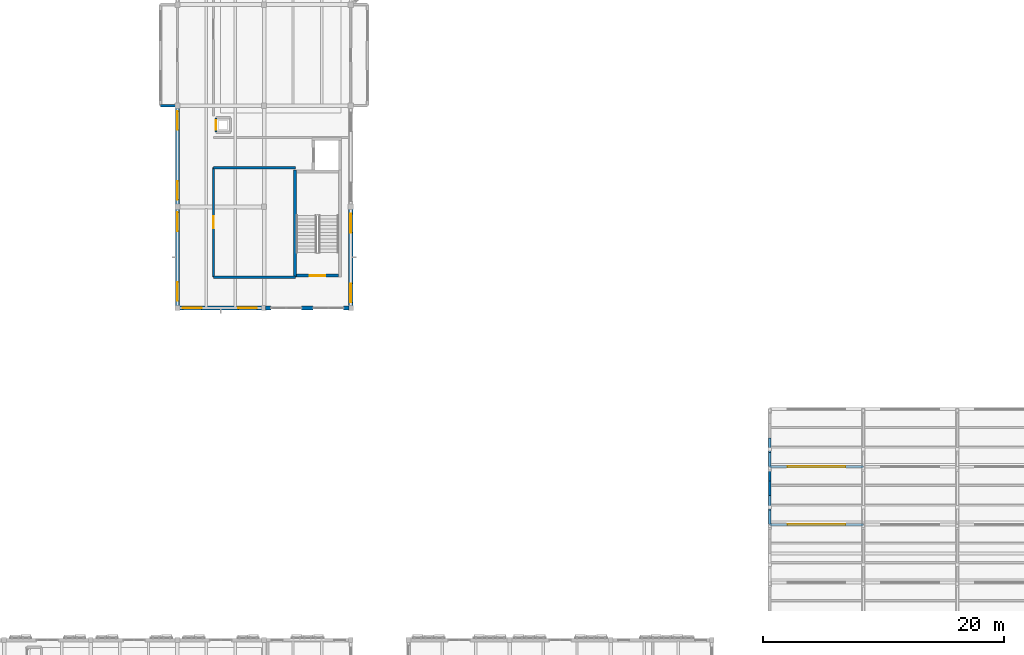
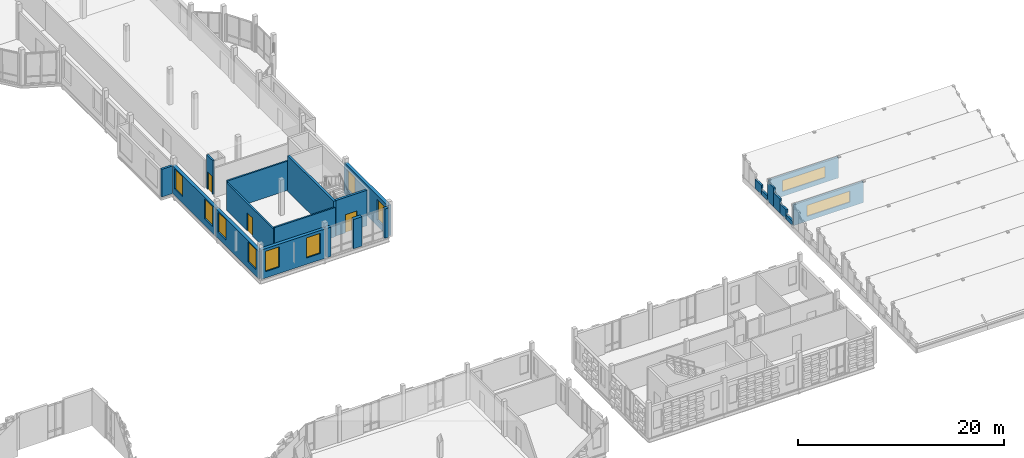
# One storey, part 57 of 81: 22 walls, 10 windows, 3 doors, 13 openings.
"""IFC4 building model written with IfcOpenShell, lengths in metres."""

from ifc_helpers import new_model, si_unit, direction, frame, frame_2d, origin, place, context, subcontext, project, spatial, rectangle, extrude, material, layer, layer_set, type_object, element, fill, save


model = new_model("IFC4")

# Units and contexts
model_context = context("Model", 3, precision=1e-05, world=origin(), true_north=direction((0.0, 1.0)))
body_context = subcontext(model_context, "Body", "Model", "MODEL_VIEW")
ifc_project = project(units=[si_unit("LENGTHUNIT", "METRE"), si_unit("AREAUNIT", "SQUARE_METRE"), si_unit("VOLUMEUNIT", "CUBIC_METRE"), si_unit("PLANEANGLEUNIT", "RADIAN"), si_unit("MASSUNIT", "GRAM", prefix="KILO")], contexts=[model_context])

# Site, building, storey
site_placement = place(None, origin())
site = spatial("IfcSite", under=ifc_project, at=site_placement, CompositionType="ELEMENT")
building_placement = place(site_placement, origin())
building = spatial("IfcBuilding", under=site, at=building_placement, Name="Kahlenmark Community Centre", CompositionType="ELEMENT")
storey_placement = place(building_placement, frame((0.0, 0.0, 9.60009765625)))
storey = spatial("IfcBuildingStorey", under=building, at=storey_placement, Name="L02", CompositionType="ELEMENT", Elevation=9.60009765625)

# Wall, opening, door
ifc_material_1 = material(Name="Concrete C35/45", Category="concrete")
ifc_layer_1 = layer(ifc_material_1, 0.25)
ifc_layer_set_1 = layer_set([ifc_layer_1], Name="Concrete C35/45")
wall_type_1 = type_object("IfcWallType", Name="WT-CORE-250", PredefinedType="SHEAR", material=ifc_layer_set_1)
wall_1_placement = place(storey_placement, frame((82.300048828125, 53.47509765625, 0.0), z_axis=(0.0, 0.0, 1.0), x_axis=(1.0, 0.0, 0.0)))
wall_1 = element("IfcWall", 1, at=wall_1_placement, inside=storey, type_object=wall_type_1, Name="Core K6 shear wall WL-CORE-K6-L02-0218", PredefinedType="SHEAR", context=body_context, shape_type="SweptSolid", body=[
    extrude(rectangle(XDim=3.5, YDim=0.25, at=frame_2d((1.75, 0.0))), origin(), (0.0, 0.0, 1.0), 4.199951171875),
])
opening_1_placement = place(wall_1_placement, frame((1.10009765625, 0.0, -0.010009765625)))
opening_1 = element("IfcOpeningElement", 2, at=opening_1_placement, cuts=wall_1, Name="Opening FD-K6-L02", PredefinedType="OPENING", context=body_context, shape_type="SweptSolid", body=[
    extrude(rectangle(XDim=1.300048828125, YDim=2.159912109375, at=frame_2d((0.64990234375, 1.080078125))), frame((0.0, 0.135009765625, 0.0), z_axis=(0.0, -1.0, 0.0), x_axis=(1.0, 0.0, 0.0)), (0.0, 0.0, 1.0), 0.27001953125),
])
ifc_material_2 = material(Name="Fire-rated steel-framed timber door FD60S", Category="steel")
door_type_1 = type_object("IfcDoorType", Name="DT-FD-K6-L02", OperationType="NOTDEFINED", PredefinedType="DOOR", material=ifc_material_2)
door_1_placement = place(opening_1_placement, frame((0.0, 0.0, 0.010009765625)))
door_1 = element("IfcDoor", 3, at=door_1_placement, inside=storey, type_object=door_type_1, Name="Core K6 stair fire door L02", OperationType="SINGLE_SWING_RIGHT", OverallHeight=2.14990234375, OverallWidth=1.300048828125, PredefinedType="DOOR", context=body_context, shape_type="SweptSolid", body=[
    extrude(rectangle(XDim=1.300048828125, YDim=2.14990234375, at=frame_2d((0.64990234375, 1.074951171875))), frame((0.0, 0.02490234375, 0.0), z_axis=(0.0, -1.0, 0.0), x_axis=(1.0, 0.0, 0.0)), (0.0, 0.0, 1.0), 0.050048828125),
])
fill(opening_1, door_1)

# Walls
wall_2_placement = place(storey_placement, frame((82.175048828125, 53.35009765625, 0.0), z_axis=(0.0, 0.0, 1.0), x_axis=(0.0, 1.0, 0.0)))
element("IfcWall", 4, at=wall_2_placement, inside=storey, type_object=wall_type_1, Name="Core K6 shear wall WL-CORE-K6-L02-0219", PredefinedType="SHEAR", context=body_context, shape_type="SweptSolid", body=[
    extrude(rectangle(XDim=8.89990234375, YDim=0.25, at=frame_2d((4.449951171875, 0.0))), origin(), (0.0, 0.0, 1.0), 4.199951171875),
])
ifc_material_3 = material(Name="Cross-laminated timber CLT C24", Category="wood")
ifc_layer_2 = layer(ifc_material_3, 0.239990234375)
ifc_layer_set_2 = layer_set([ifc_layer_2], Name="Cross-laminated timber CLT C24")
wall_type_2 = type_object("IfcWallType", Name="WT-EW-240", PredefinedType="SOLIDWALL", material=ifc_layer_set_2)
wall_3_placement = place(storey_placement, frame((72.25, 67.60009765625, 0.0), z_axis=(0.0, 0.0, 1.0), x_axis=(-1.0, 0.0, 0.0)))
element("IfcWall", 5, at=wall_3_placement, inside=storey, type_object=wall_type_2, Name="Bay oriel wall WL-ORI-L02-0847", PredefinedType="SOLIDWALL", context=body_context, shape_type="SweptSolid", body=[
    extrude(rectangle(XDim=1.25, YDim=0.239990234375, at=frame_2d((0.625, 0.0))), origin(), (0.0, 0.0, 1.0), 3.27001953125),
])

# Wall, openings, windows
ifc_material_4 = material(Name="Danube limestone masonry", Category="masonry")
ifc_layer_3 = layer(ifc_material_4, 0.360107421875)
ifc_layer_set_3 = layer_set([ifc_layer_3], Name="Danube limestone masonry")
wall_type_3 = type_object("IfcWallType", Name="WT-EW-360", PredefinedType="SOLIDWALL", material=ifc_layer_set_3)
wall_4_placement = place(storey_placement, frame((72.39990234375, 50.800048828125, 0.0), z_axis=(0.0, 0.0, 1.0), x_axis=(1.0, 0.0, 0.0)))
wall_4 = element("IfcWall", 6, at=wall_4_placement, inside=storey, type_object=wall_type_3, Name="Exterior wall WL-EXT-L02-0520", PredefinedType="SOLIDWALL", context=body_context, shape_type="SweptSolid", body=[
    extrude(rectangle(XDim=7.2001953125, YDim=0.360107421875, at=frame_2d((3.60009765625, 0.0))), origin(), (0.0, 0.0, 1.0), 3.469970703125),
])
opening_2_placement = place(wall_4_placement, frame((0.4599609375, 0.0, 0.75)))
opening_2 = element("IfcOpeningElement", 7, at=opening_2_placement, cuts=wall_4, Name="Opening W-155X240", PredefinedType="OPENING", context=body_context, shape_type="SweptSolid", body=[
    extrude(rectangle(XDim=1.550048828125, YDim=2.39990234375, at=frame_2d((0.77490234375, 1.199951171875))), frame((0.0, 0.18994140625, 0.0), z_axis=(0.0, -1.0, 0.0), x_axis=(1.0, 0.0, 0.0)), (0.0, 0.0, 1.0), 0.380126953125),
])
opening_3_placement = place(wall_4_placement, frame((5.06005859375, 0.0, 0.75)))
opening_3 = element("IfcOpeningElement", 8, at=opening_3_placement, cuts=wall_4, Name="Opening W-155X240", PredefinedType="OPENING", context=body_context, shape_type="SweptSolid", body=[
    extrude(rectangle(XDim=1.550048828125, YDim=2.39990234375, at=frame_2d((0.77490234375, 1.199951171875))), frame((0.0, 0.18994140625, 0.0), z_axis=(0.0, -1.0, 0.0), x_axis=(1.0, 0.0, 0.0)), (0.0, 0.0, 1.0), 0.380126953125),
])
ifc_material_5 = material(Name="Deep-reveal limestone punched triple glazing", Category="masonry")
window_type_1 = type_object("IfcWindowType", Name="WNT-155X240", PartitioningType="DOUBLE_PANEL_HORIZONTAL", PredefinedType="WINDOW", material=ifc_material_5)
window_1_placement = place(opening_2_placement, origin())
window_1 = element("IfcWindow", 9, at=window_1_placement, inside=storey, type_object=window_type_1, Name="Window W-155X240 #0313", OverallHeight=2.39990234375, OverallWidth=1.550048828125, PartitioningType="DOUBLE_PANEL_HORIZONTAL", PredefinedType="WINDOW", context=body_context, shape_type="SweptSolid", body=[
    extrude(rectangle(XDim=1.550048828125, YDim=2.39990234375, at=frame_2d((0.77490234375, 1.199951171875))), frame((0.0, 0.030029296875, 0.0), z_axis=(0.0, -1.0, 0.0), x_axis=(1.0, 0.0, 0.0)), (0.0, 0.0, 1.0), 0.06005859375),
])
fill(opening_2, window_1)
window_2_placement = place(opening_3_placement, origin())
window_2 = element("IfcWindow", 10, at=window_2_placement, inside=storey, type_object=window_type_1, Name="Window W-155X240 #0314", OverallHeight=2.39990234375, OverallWidth=1.550048828125, PartitioningType="DOUBLE_PANEL_HORIZONTAL", PredefinedType="WINDOW", context=body_context, shape_type="SweptSolid", body=[
    extrude(rectangle(XDim=1.550048828125, YDim=2.39990234375, at=frame_2d((0.77490234375, 1.199951171875))), frame((0.0, 0.030029296875, 0.0), z_axis=(0.0, -1.0, 0.0), x_axis=(1.0, 0.0, 0.0)), (0.0, 0.0, 1.0), 0.06005859375),
])
fill(opening_3, window_2)

# Walls
wall_5_placement = place(storey_placement, frame((82.719970703125, 50.800048828125, 0.0), z_axis=(0.0, 0.0, 1.0), x_axis=(1.0, 0.0, 0.0)))
element("IfcWall", 11, at=wall_5_placement, inside=storey, type_object=wall_type_3, Name="Postmodern limestone pier 0521", PredefinedType="SOLIDWALL", context=body_context, shape_type="SweptSolid", body=[
    extrude(rectangle(XDim=0.9599609375, YDim=0.360107421875, at=frame_2d((0.47998046875, 0.0))), origin(), (0.0, 0.0, 1.0), 3.469970703125),
])
for number, where, z_axis, x_axis, name in (
    (12, (79.72998046875, 50.800048828125, 0.0), (0.0, 0.0, 1.0), (1.0, 0.0, 0.0), "Column closure pier 0522"),
    (13, (86.219970703125, 50.800048828125, 0.0), (0.0, 0.0, 1.0), (1.0, 0.0, 0.0), "Column closure pier 0523"),
):
    element("IfcWall", number, at=place(storey_placement, frame(where, z_axis=z_axis, x_axis=x_axis)), inside=storey, type_object=wall_type_3, Name=name, PredefinedType="SOLIDWALL", context=body_context, shape_type="SweptSolid", body=[
        extrude(rectangle(XDim=0.449951171875, YDim=0.360107421875, at=frame_2d((0.22509765625, 0.0))), origin(), (0.0, 0.0, 1.0), 3.469970703125),
    ])

# Wall, openings, windows
wall_6_placement = place(storey_placement, frame((72.39990234375, 59.199951171875, 0.0), z_axis=(0.0, 0.0, 1.0), x_axis=(0.0, -1.0, 0.0)))
wall_6 = element("IfcWall", 14, at=wall_6_placement, inside=storey, type_object=wall_type_3, Name="Exterior wall WL-EXT-L02-0524", PredefinedType="SOLIDWALL", context=body_context, shape_type="SweptSolid", body=[
    extrude(rectangle(XDim=8.39990234375, YDim=0.360107421875, at=frame_2d((4.199951171875, 0.0))), origin(), (0.0, 0.0, 1.0), 3.27001953125),
])
opening_4_placement = place(wall_6_placement, frame((0.4599609375, 0.0, 0.75)))
opening_4 = element("IfcOpeningElement", 15, at=opening_4_placement, cuts=wall_6, Name="Opening W-155X238", PredefinedType="OPENING", context=body_context, shape_type="SweptSolid", body=[
    extrude(rectangle(XDim=1.550048828125, YDim=2.3798828125, at=frame_2d((0.77490234375, 1.18994140625))), frame((0.0, 0.18994140625, 0.0), z_axis=(0.0, -1.0, 0.0), x_axis=(1.0, 0.0, 0.0)), (0.0, 0.0, 1.0), 0.380126953125),
])
opening_5_placement = place(wall_6_placement, frame((6.260009765625, 0.0, 0.75)))
opening_5 = element("IfcOpeningElement", 16, at=opening_5_placement, cuts=wall_6, Name="Opening W-155X238", PredefinedType="OPENING", context=body_context, shape_type="SweptSolid", body=[
    extrude(rectangle(XDim=1.550048828125, YDim=2.3798828125, at=frame_2d((0.77490234375, 1.18994140625))), frame((0.0, 0.18994140625, 0.0), z_axis=(0.0, -1.0, 0.0), x_axis=(1.0, 0.0, 0.0)), (0.0, 0.0, 1.0), 0.380126953125),
])
window_type_2 = type_object("IfcWindowType", Name="WNT-155X238", PartitioningType="DOUBLE_PANEL_HORIZONTAL", PredefinedType="WINDOW", material=ifc_material_5)
window_3_placement = place(opening_4_placement, origin())
window_3 = element("IfcWindow", 17, at=window_3_placement, inside=storey, type_object=window_type_2, Name="Window W-155X238 #0315", OverallHeight=2.3798828125, OverallWidth=1.550048828125, PartitioningType="DOUBLE_PANEL_HORIZONTAL", PredefinedType="WINDOW", context=body_context, shape_type="SweptSolid", body=[
    extrude(rectangle(XDim=1.550048828125, YDim=2.3798828125, at=frame_2d((0.77490234375, 1.18994140625))), frame((0.0, 0.030029296875, 0.0), z_axis=(0.0, -1.0, 0.0), x_axis=(1.0, 0.0, 0.0)), (0.0, 0.0, 1.0), 0.06005859375),
])
fill(opening_4, window_3)
window_4_placement = place(opening_5_placement, origin())
window_4 = element("IfcWindow", 18, at=window_4_placement, inside=storey, type_object=window_type_2, Name="Window W-155X238 #0316", OverallHeight=2.3798828125, OverallWidth=1.550048828125, PartitioningType="DOUBLE_PANEL_HORIZONTAL", PredefinedType="WINDOW", context=body_context, shape_type="SweptSolid", body=[
    extrude(rectangle(XDim=1.550048828125, YDim=2.3798828125, at=frame_2d((0.77490234375, 1.18994140625))), frame((0.0, 0.030029296875, 0.0), z_axis=(0.0, -1.0, 0.0), x_axis=(1.0, 0.0, 0.0)), (0.0, 0.0, 1.0), 0.06005859375),
])
fill(opening_5, window_4)

wall_7_placement = place(storey_placement, frame((72.39990234375, 67.60009765625, 0.0), z_axis=(0.0, 0.0, 1.0), x_axis=(0.0, -1.0, 0.0)))
wall_7 = element("IfcWall", 19, at=wall_7_placement, inside=storey, type_object=wall_type_3, Name="Exterior wall WL-EXT-L02-0525", PredefinedType="SOLIDWALL", context=body_context, shape_type="SweptSolid", body=[
    extrude(rectangle(XDim=8.400146484375, YDim=0.360107421875, at=frame_2d((4.2001953125, 0.0))), origin(), (0.0, 0.0, 1.0), 3.27001953125),
])
opening_6_placement = place(wall_7_placement, frame((0.4599609375, 0.0, 0.75)))
opening_6 = element("IfcOpeningElement", 20, at=opening_6_placement, cuts=wall_7, Name="Opening W-155X238", PredefinedType="OPENING", context=body_context, shape_type="SweptSolid", body=[
    extrude(rectangle(XDim=1.550048828125, YDim=2.3798828125, at=frame_2d((0.77490234375, 1.18994140625))), frame((0.0, 0.18994140625, 0.0), z_axis=(0.0, -1.0, 0.0), x_axis=(1.0, 0.0, 0.0)), (0.0, 0.0, 1.0), 0.380126953125),
])
opening_7_placement = place(wall_7_placement, frame((6.260009765625, 0.0, 0.75)))
opening_7 = element("IfcOpeningElement", 21, at=opening_7_placement, cuts=wall_7, Name="Opening W-155X238", PredefinedType="OPENING", context=body_context, shape_type="SweptSolid", body=[
    extrude(rectangle(XDim=1.550048828125, YDim=2.3798828125, at=frame_2d((0.77490234375, 1.18994140625))), frame((0.0, 0.18994140625, 0.0), z_axis=(0.0, -1.0, 0.0), x_axis=(1.0, 0.0, 0.0)), (0.0, 0.0, 1.0), 0.380126953125),
])
window_5_placement = place(opening_6_placement, origin())
window_5 = element("IfcWindow", 22, at=window_5_placement, inside=storey, type_object=window_type_2, Name="Window W-155X238 #0317", OverallHeight=2.3798828125, OverallWidth=1.550048828125, PartitioningType="DOUBLE_PANEL_HORIZONTAL", PredefinedType="WINDOW", context=body_context, shape_type="SweptSolid", body=[
    extrude(rectangle(XDim=1.550048828125, YDim=2.3798828125, at=frame_2d((0.77490234375, 1.18994140625))), frame((0.0, 0.030029296875, 0.0), z_axis=(0.0, -1.0, 0.0), x_axis=(1.0, 0.0, 0.0)), (0.0, 0.0, 1.0), 0.06005859375),
])
fill(opening_6, window_5)
window_6_placement = place(opening_7_placement, origin())
window_6 = element("IfcWindow", 23, at=window_6_placement, inside=storey, type_object=window_type_2, Name="Window W-155X238 #0318", OverallHeight=2.3798828125, OverallWidth=1.550048828125, PartitioningType="DOUBLE_PANEL_HORIZONTAL", PredefinedType="WINDOW", context=body_context, shape_type="SweptSolid", body=[
    extrude(rectangle(XDim=1.550048828125, YDim=2.3798828125, at=frame_2d((0.77490234375, 1.18994140625))), frame((0.0, 0.030029296875, 0.0), z_axis=(0.0, -1.0, 0.0), x_axis=(1.0, 0.0, 0.0)), (0.0, 0.0, 1.0), 0.06005859375),
])
fill(opening_7, window_6)

wall_8_placement = place(storey_placement, frame((86.800048828125, 50.800048828125, 0.0), z_axis=(0.0, 0.0, 1.0), x_axis=(0.0, 1.0, 0.0)))
wall_8 = element("IfcWall", 24, at=wall_8_placement, inside=storey, type_object=wall_type_3, Name="Exterior wall WL-EXT-L02-0528", PredefinedType="SOLIDWALL", context=body_context, shape_type="SweptSolid", body=[
    extrude(rectangle(XDim=8.39990234375, YDim=0.360107421875, at=frame_2d((4.199951171875, 0.0))), origin(), (0.0, 0.0, 1.0), 3.6298828125),
])
opening_8_placement = place(wall_8_placement, frame((0.4599609375, 0.0, 0.75)))
opening_8 = element("IfcOpeningElement", 25, at=opening_8_placement, cuts=wall_8, Name="Opening W-155X240", PredefinedType="OPENING", context=body_context, shape_type="SweptSolid", body=[
    extrude(rectangle(XDim=1.550048828125, YDim=2.39990234375, at=frame_2d((0.77490234375, 1.199951171875))), frame((0.0, 0.18994140625, 0.0), z_axis=(0.0, -1.0, 0.0), x_axis=(1.0, 0.0, 0.0)), (0.0, 0.0, 1.0), 0.380126953125),
])
opening_9_placement = place(wall_8_placement, frame((6.260009765625, 0.0, 0.75)))
opening_9 = element("IfcOpeningElement", 26, at=opening_9_placement, cuts=wall_8, Name="Opening W-155X240", PredefinedType="OPENING", context=body_context, shape_type="SweptSolid", body=[
    extrude(rectangle(XDim=1.550048828125, YDim=2.39990234375, at=frame_2d((0.77490234375, 1.199951171875))), frame((0.0, 0.18994140625, 0.0), z_axis=(0.0, -1.0, 0.0), x_axis=(1.0, 0.0, 0.0)), (0.0, 0.0, 1.0), 0.380126953125),
])
window_7_placement = place(opening_8_placement, origin())
window_7 = element("IfcWindow", 27, at=window_7_placement, inside=storey, type_object=window_type_1, Name="Window W-155X240 #0323", OverallHeight=2.39990234375, OverallWidth=1.550048828125, PartitioningType="DOUBLE_PANEL_HORIZONTAL", PredefinedType="WINDOW", context=body_context, shape_type="SweptSolid", body=[
    extrude(rectangle(XDim=1.550048828125, YDim=2.39990234375, at=frame_2d((0.77490234375, 1.199951171875))), frame((0.0, 0.030029296875, 0.0), z_axis=(0.0, -1.0, 0.0), x_axis=(1.0, 0.0, 0.0)), (0.0, 0.0, 1.0), 0.06005859375),
])
fill(opening_8, window_7)
window_8_placement = place(opening_9_placement, origin())
window_8 = element("IfcWindow", 28, at=window_8_placement, inside=storey, type_object=window_type_1, Name="Window W-155X240 #0324", OverallHeight=2.39990234375, OverallWidth=1.550048828125, PartitioningType="DOUBLE_PANEL_HORIZONTAL", PredefinedType="WINDOW", context=body_context, shape_type="SweptSolid", body=[
    extrude(rectangle(XDim=1.550048828125, YDim=2.39990234375, at=frame_2d((0.77490234375, 1.199951171875))), frame((0.0, 0.030029296875, 0.0), z_axis=(0.0, -1.0, 0.0), x_axis=(1.0, 0.0, 0.0)), (0.0, 0.0, 1.0), 0.06005859375),
])
fill(opening_9, window_8)

# Wall, opening, window
ifc_layer_4 = layer(ifc_material_3, 0.199951171875)
ifc_layer_set_4 = layer_set([ifc_layer_4], Name="Cross-laminated timber CLT C24")
wall_type_4 = type_object("IfcWallType", Name="WT-EW-SAW200", PredefinedType="SOLIDWALL", material=ifc_layer_set_4)
wall_9_placement = place(storey_placement, frame((121.60009765625, 32.800048828125, 0.0), z_axis=(0.0, 0.0, 1.0), x_axis=(1.0, 0.0, 0.0)))
wall_9 = element("IfcWall", 29, at=wall_9_placement, inside=storey, type_object=wall_type_4, Name="Sawtooth north-light wall bay 5", PredefinedType="SOLIDWALL", context=body_context, shape_type="SweptSolid", body=[
    extrude(rectangle(XDim=7.7998046875, YDim=0.199951171875, at=frame_2d((3.89990234375, 0.0))), origin(), (0.0, 0.0, 1.0), 2.4599609375),
])
opening_10_placement = place(wall_9_placement, frame((1.5, 0.0, 0.580078125)))
opening_10 = element("IfcOpeningElement", 30, at=opening_10_placement, cuts=wall_9, Name="Opening SK-SAW1", PredefinedType="OPENING", context=body_context, shape_type="SweptSolid", body=[
    extrude(rectangle(XDim=4.800048828125, YDim=1.300048828125, at=frame_2d((2.39990234375, 0.64990234375))), frame((0.0, 0.10986328125, 0.0), z_axis=(0.0, -1.0, 0.0), x_axis=(1.0, 0.0, 0.0)), (0.0, 0.0, 1.0), 0.219970703125),
])
ifc_material_6 = material(Name="North-light solar control triple glazing", Category="glass")
window_type_3 = type_object("IfcWindowType", Name="WNT-SK-SAW", PartitioningType="TRIPLE_PANEL_VERTICAL", PredefinedType="SKYLIGHT", material=ifc_material_6)
window_9_placement = place(opening_10_placement, origin())
window_9 = element("IfcWindow", 31, at=window_9_placement, inside=storey, type_object=window_type_3, Name="Sawtooth north-light skylight 0572", OverallHeight=1.300048828125, OverallWidth=4.800048828125, PartitioningType="TRIPLE_PANEL_VERTICAL", PredefinedType="SKYLIGHT", context=body_context, shape_type="SweptSolid", body=[
    extrude(rectangle(XDim=4.800048828125, YDim=1.300048828125, at=frame_2d((2.39990234375, 0.64990234375))), frame((0.0, 0.030029296875, 0.0), z_axis=(0.0, -1.0, 0.0), x_axis=(1.0, 0.0, 0.0)), (0.0, 0.0, 1.0), 0.06005859375),
])
fill(opening_10, window_9)

wall_10_placement = place(storey_placement, frame((121.60009765625, 37.60009765625, 0.0), z_axis=(0.0, 0.0, 1.0), x_axis=(1.0, 0.0, 0.0)))
wall_10 = element("IfcWall", 32, at=wall_10_placement, inside=storey, type_object=wall_type_4, Name="Sawtooth north-light wall bay 6", PredefinedType="SOLIDWALL", context=body_context, shape_type="SweptSolid", body=[
    extrude(rectangle(XDim=7.7998046875, YDim=0.199951171875, at=frame_2d((3.89990234375, 0.0))), origin(), (0.0, 0.0, 1.0), 2.4599609375),
])
opening_11_placement = place(wall_10_placement, frame((1.5, 0.0, 0.580078125)))
opening_11 = element("IfcOpeningElement", 33, at=opening_11_placement, cuts=wall_10, Name="Opening SK-SAW1", PredefinedType="OPENING", context=body_context, shape_type="SweptSolid", body=[
    extrude(rectangle(XDim=4.800048828125, YDim=1.300048828125, at=frame_2d((2.39990234375, 0.64990234375))), frame((0.0, 0.10986328125, 0.0), z_axis=(0.0, -1.0, 0.0), x_axis=(1.0, 0.0, 0.0)), (0.0, 0.0, 1.0), 0.219970703125),
])
window_10_placement = place(opening_11_placement, origin())
window_10 = element("IfcWindow", 34, at=window_10_placement, inside=storey, type_object=window_type_3, Name="Sawtooth north-light skylight 0575", OverallHeight=1.300048828125, OverallWidth=4.800048828125, PartitioningType="TRIPLE_PANEL_VERTICAL", PredefinedType="SKYLIGHT", context=body_context, shape_type="SweptSolid", body=[
    extrude(rectangle(XDim=4.800048828125, YDim=1.300048828125, at=frame_2d((2.39990234375, 0.64990234375))), frame((0.0, 0.030029296875, 0.0), z_axis=(0.0, -1.0, 0.0), x_axis=(1.0, 0.0, 0.0)), (0.0, 0.0, 1.0), 0.06005859375),
])
fill(opening_11, window_10)

# Walls
wall_11_placement = place(storey_placement, frame((121.60009765625, 32.800048828125, 0.0), z_axis=(0.0, 0.0, 1.0), x_axis=(0.0, 1.0, 0.0)))
element("IfcWall", 35, at=wall_11_placement, inside=storey, type_object=wall_type_4, Name="Sawtooth stepped cheek gable 0995", PredefinedType="SOLIDWALL", context=body_context, shape_type="SweptSolid", body=[
    extrude(rectangle(XDim=1.199951171875, YDim=0.199951171875, at=frame_2d((0.60009765625, 0.0))), origin(), (0.0, 0.0, 1.0), 0.5439453125),
])
wall_12_placement = place(storey_placement, frame((121.60009765625, 34.0, 0.0), z_axis=(0.0, 0.0, 1.0), x_axis=(0.0, 1.0, 0.0)))
element("IfcWall", 36, at=wall_12_placement, inside=storey, type_object=wall_type_4, Name="Sawtooth stepped cheek gable 0996", PredefinedType="SOLIDWALL", context=body_context, shape_type="SweptSolid", body=[
    extrude(rectangle(XDim=1.199951171875, YDim=0.199951171875, at=frame_2d((0.60009765625, 0.0))), origin(), (0.0, 0.0, 1.0), 1.10400390625),
])
wall_13_placement = place(storey_placement, frame((121.60009765625, 35.199951171875, 0.0), z_axis=(0.0, 0.0, 1.0), x_axis=(0.0, 1.0, 0.0)))
element("IfcWall", 37, at=wall_13_placement, inside=storey, type_object=wall_type_4, Name="Sawtooth stepped cheek gable 0997", PredefinedType="SOLIDWALL", context=body_context, shape_type="SweptSolid", body=[
    extrude(rectangle(XDim=1.199951171875, YDim=0.199951171875, at=frame_2d((0.60009765625, 0.0))), origin(), (0.0, 0.0, 1.0), 1.663818359375),
])
wall_14_placement = place(storey_placement, frame((121.60009765625, 36.39990234375, 0.0), z_axis=(0.0, 0.0, 1.0), x_axis=(0.0, 1.0, 0.0)))
element("IfcWall", 38, at=wall_14_placement, inside=storey, type_object=wall_type_4, Name="Sawtooth stepped cheek gable 0998", PredefinedType="SOLIDWALL", context=body_context, shape_type="SweptSolid", body=[
    extrude(rectangle(XDim=1.2001953125, YDim=0.199951171875, at=frame_2d((0.60009765625, 0.0))), origin(), (0.0, 0.0, 1.0), 2.223876953125),
])
wall_15_placement = place(storey_placement, frame((121.60009765625, 37.60009765625, 0.0), z_axis=(0.0, 0.0, 1.0), x_axis=(0.0, 1.0, 0.0)))
element("IfcWall", 39, at=wall_15_placement, inside=storey, type_object=wall_type_4, Name="Sawtooth stepped cheek gable 1006", PredefinedType="SOLIDWALL", context=body_context, shape_type="SweptSolid", body=[
    extrude(rectangle(XDim=1.199951171875, YDim=0.199951171875, at=frame_2d((0.60009765625, 0.0))), origin(), (0.0, 0.0, 1.0), 0.5439453125),
])
wall_16_placement = place(storey_placement, frame((121.60009765625, 38.800048828125, 0.0), z_axis=(0.0, 0.0, 1.0), x_axis=(0.0, 1.0, 0.0)))
element("IfcWall", 40, at=wall_16_placement, inside=storey, type_object=wall_type_4, Name="Sawtooth stepped cheek gable 1007", PredefinedType="SOLIDWALL", context=body_context, shape_type="SweptSolid", body=[
    extrude(rectangle(XDim=1.199951171875, YDim=0.199951171875, at=frame_2d((0.60009765625, 0.0))), origin(), (0.0, 0.0, 1.0), 1.10400390625),
])
ifc_material_7 = material(Name="Gypsum plasterboard partition", Category="gypsum")
ifc_layer_5 = layer(ifc_material_7, 0.179931640625)
ifc_layer_set_5 = layer_set([ifc_layer_5], Name="Gypsum plasterboard partition")
wall_type_5 = type_object("IfcWallType", Name="WT-PW-180", PredefinedType="PARTITIONING", material=ifc_layer_set_5)
wall_17_placement = place(storey_placement, frame((75.39990234375, 53.35009765625, 0.0), z_axis=(0.0, 0.0, 1.0), x_axis=(1.0, 0.0, 0.0)))
element("IfcWall", 41, at=wall_17_placement, inside=storey, type_object=wall_type_5, Name="Interior partition WL-INT-L02-0203", PredefinedType="PARTITIONING", context=body_context, shape_type="SweptSolid", body=[
    extrude(rectangle(XDim=6.800048828125, YDim=0.179931640625, at=frame_2d((3.39990234375, 0.0))), origin(), (0.0, 0.0, 1.0), 3.469970703125),
])

# Wall, opening, door
wall_18_placement = place(storey_placement, frame((75.39990234375, 53.35009765625, 0.0), z_axis=(0.0, 0.0, 1.0), x_axis=(0.0, 1.0, 0.0)))
wall_18 = element("IfcWall", 42, at=wall_18_placement, inside=storey, type_object=wall_type_5, Name="Interior partition WL-INT-L02-0204", PredefinedType="PARTITIONING", context=body_context, shape_type="SweptSolid", body=[
    extrude(rectangle(XDim=9.099853515625, YDim=0.179931640625, at=frame_2d((4.5498046875, 0.0))), origin(), (0.0, 0.0, 1.0), 3.27001953125),
])
opening_12_placement = place(wall_18_placement, frame((4.050048828125, 0.0, -0.010009765625)))
opening_12 = element("IfcOpeningElement", 43, at=opening_12_placement, cuts=wall_18, Name="Opening D-L02-118", PredefinedType="OPENING", context=body_context, shape_type="SweptSolid", body=[
    extrude(rectangle(XDim=1.0, YDim=2.159912109375, at=frame_2d((0.5, 1.080078125))), frame((0.0, 0.099853515625, 0.0), z_axis=(0.0, -1.0, 0.0), x_axis=(1.0, 0.0, 0.0)), (0.0, 0.0, 1.0), 0.199951171875),
])
ifc_material_8 = material(Name="Oak timber veneer door leaf", Category="wood")
door_type_2 = type_object("IfcDoorType", Name="DT-INT-100X215", OperationType="NOTDEFINED", PredefinedType="DOOR", material=ifc_material_8)
door_2_placement = place(opening_12_placement, frame((0.0, 0.0, 0.010009765625)))
door_2 = element("IfcDoor", 44, at=door_2_placement, inside=storey, type_object=door_type_2, Name="Interior door D-L02-118", OperationType="SINGLE_SWING_LEFT", OverallHeight=2.14990234375, OverallWidth=1.0, PredefinedType="DOOR", context=body_context, shape_type="SweptSolid", body=[
    extrude(rectangle(XDim=1.0, YDim=2.14990234375, at=frame_2d((0.5, 1.074951171875))), frame((0.0, 0.02490234375, 0.0), z_axis=(0.0, -1.0, 0.0), x_axis=(1.0, 0.0, 0.0)), (0.0, 0.0, 1.0), 0.050048828125),
])
fill(opening_12, door_2)

# Wall
wall_19_placement = place(storey_placement, frame((75.39990234375, 62.449951171875, 0.0), z_axis=(0.0, 0.0, 1.0), x_axis=(1.0, 0.0, 0.0)))
element("IfcWall", 45, at=wall_19_placement, inside=storey, type_object=wall_type_5, Name="Interior partition WL-INT-L02-0205", PredefinedType="PARTITIONING", context=body_context, shape_type="SweptSolid", body=[
    extrude(rectangle(XDim=6.800048828125, YDim=0.179931640625, at=frame_2d((3.39990234375, 0.0))), origin(), (0.0, 0.0, 1.0), 3.469970703125),
])

# Wall, opening, door
ifc_material_9 = material(Name="Masonry blockwork", Category="masonry")
ifc_layer_6 = layer(ifc_material_9, 0.179931640625)
ifc_layer_set_6 = layer_set([ifc_layer_6], Name="Masonry blockwork")
wall_type_6 = type_object("IfcWallType", Name="WT-RISER-180", PredefinedType="SOLIDWALL", material=ifc_layer_set_6)
wall_20_placement = place(storey_placement, frame((75.60009765625, 66.60009765625, 0.0), z_axis=(0.0, 0.0, 1.0), x_axis=(0.0, -1.0, 0.0)))
wall_20 = element("IfcWall", 46, at=wall_20_placement, inside=storey, type_object=wall_type_6, Name="Riser RS-08 shaft wall L02.4", PredefinedType="SOLIDWALL", context=body_context, shape_type="SweptSolid", body=[
    extrude(rectangle(XDim=1.2001953125, YDim=0.179931640625, at=frame_2d((0.60009765625, 0.0))), origin(), (0.0, 0.0, 1.0), 3.969970703125),
])
opening_13_placement = place(wall_20_placement, frame((0.199951171875, 0.0, -0.010009765625)))
opening_13 = element("IfcOpeningElement", 47, at=opening_13_placement, cuts=wall_20, Name="Opening FD-RS80", PredefinedType="OPENING", context=body_context, shape_type="SweptSolid", body=[
    extrude(rectangle(XDim=0.800048828125, YDim=2.06005859375, at=frame_2d((0.39990234375, 1.030029296875))), frame((0.0, 0.099853515625, 0.0), z_axis=(0.0, -1.0, 0.0), x_axis=(1.0, 0.0, 0.0)), (0.0, 0.0, 1.0), 0.199951171875),
])
ifc_material_10 = material(Name="Fire-rated steel service riser door FD60S", Category="steel")
door_type_3 = type_object("IfcDoorType", Name="DT-RISER-80X205", OperationType="NOTDEFINED", PredefinedType="DOOR", material=ifc_material_10)
door_3_placement = place(opening_13_placement, frame((0.0, 0.0, 0.010009765625)))
door_3 = element("IfcDoor", 48, at=door_3_placement, inside=storey, type_object=door_type_3, Name="Riser RS-08 access door L02", OperationType="SINGLE_SWING_LEFT", OverallHeight=2.050048828125, OverallWidth=0.800048828125, PredefinedType="DOOR", context=body_context, shape_type="SweptSolid", body=[
    extrude(rectangle(XDim=0.800048828125, YDim=2.050048828125, at=frame_2d((0.39990234375, 1.02490234375))), frame((0.0, 0.02490234375, 0.0), z_axis=(0.0, -1.0, 0.0), x_axis=(1.0, 0.0, 0.0)), (0.0, 0.0, 1.0), 0.050048828125),
])
fill(opening_13, door_3)

save(model, "model.ifc")
